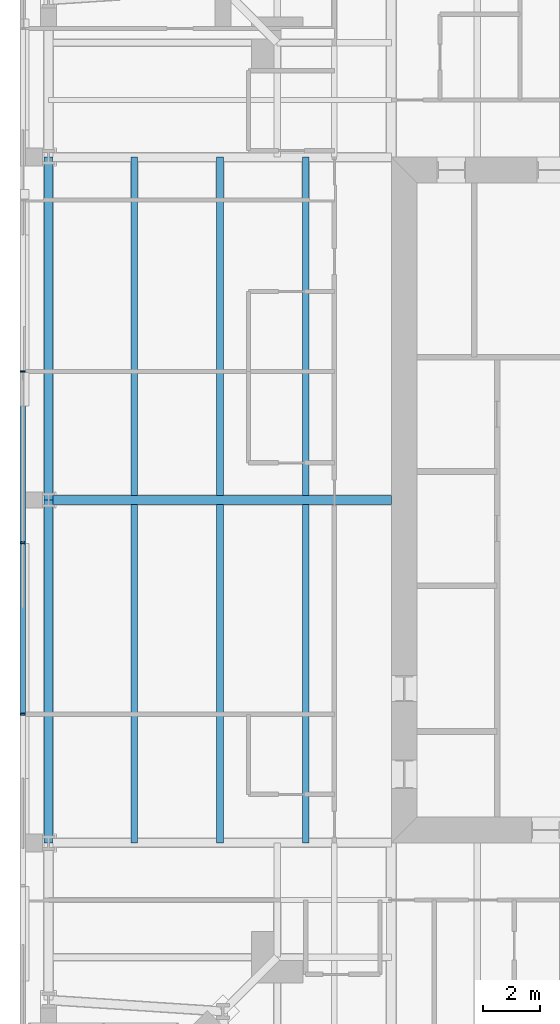
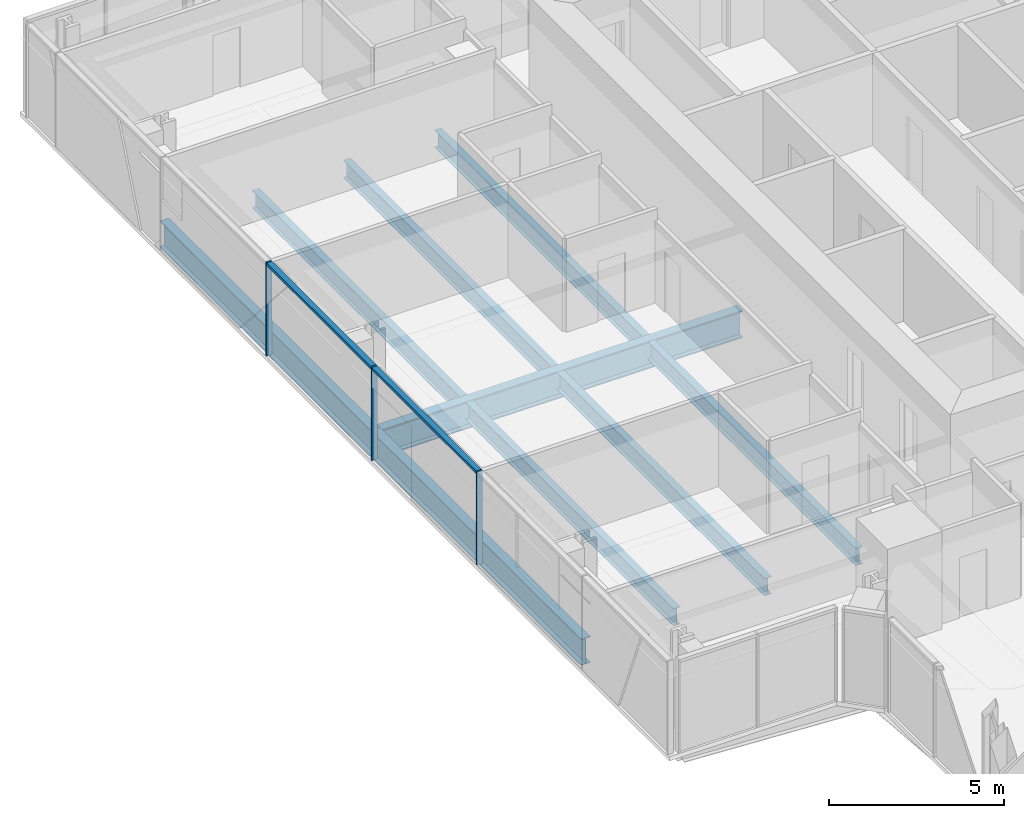
# One storey, part 4 of 19: 9 beams, 5 members, 1 element without a shape of its own.
"""IFC4 building model written with IfcOpenShell, lengths in metres."""

from ifc_helpers import new_model, si_unit, direction, frame, origin, origin_2d, place, context, subcontext, project, spatial, rectangle, i_section, extrude, material, material_profile, profile_set, type_object, element, aggregate, save


model = new_model("IFC4")

# Units and contexts
model_context = context("Model", 3, precision=1e-05, world=origin(), true_north=direction((0.0, 1.0)))
body_context = subcontext(model_context, "Body", "Model", "MODEL_VIEW")
ifc_project = project(units=[si_unit("LENGTHUNIT", "METRE"), si_unit("AREAUNIT", "SQUARE_METRE"), si_unit("VOLUMEUNIT", "CUBIC_METRE"), si_unit("PLANEANGLEUNIT", "RADIAN"), si_unit("MASSUNIT", "GRAM", prefix="KILO")], contexts=[model_context])

# Site, building, storey
site_placement = place(None, origin())
site = spatial("IfcSite", under=ifc_project, at=site_placement, CompositionType="ELEMENT")
building_placement = place(site_placement, origin())
building = spatial("IfcBuilding", under=site, at=building_placement, Name="Fenwick Lantern Interchange", CompositionType="ELEMENT")
storey_placement = place(building_placement, frame((0.0, 0.0, 273.0)))
storey = spatial("IfcBuildingStorey", under=building, at=storey_placement, Name="L65", CompositionType="ELEMENT", Elevation=273.0)

# Beams
ifc_material_1 = material(Name="Steel ASTM A992 Grade 50", Category="steel")
ifc_material_profile_1 = material_profile(ifc_material_1, i_section(OverallWidth=0.3046875, OverallDepth=0.911865234375, WebThickness=0.015869140625, FlangeThickness=0.02392578125, at=origin_2d()), Name="W36X150")
ifc_profile_set_1 = profile_set([ifc_material_profile_1], Name="Steel ASTM A992 Grade 50")
beam_type_1 = type_object("IfcBeamType", Name="EDGE BEAM W36X150", PredefinedType="SPANDREL", material=ifc_profile_set_1)
for number, where, z_axis, x_axis, name in (
    (1, (1.0, 37.0, -0.60595703125), (0.0, -1.0, 0.0), (1.0, 0.0, 0.0), "L65/FR/W/EB2"),
    (2, (1.0, 25.0, -0.60595703125), (0.0, -1.0, 0.0), (1.0, 0.0, 0.0), "L65/FR/W/EB3"),
):
    element("IfcBeam", number, at=place(storey_placement, frame(where, z_axis=z_axis, x_axis=x_axis)), inside=storey, type_object=beam_type_1, Name=name, PredefinedType="SPANDREL", context=body_context, shape_type="SweptSolid", body=[
        extrude(i_section(OverallWidth=0.3046875, OverallDepth=0.911865234375, WebThickness=0.015869140625, FlangeThickness=0.02392578125, at=origin_2d()), origin(), (0.0, 0.0, 1.0), 12.0),
    ])
ifc_material_profile_2 = material_profile(ifc_material_1, i_section(OverallWidth=0.22900390625, OverallDepth=0.612060546875, WebThickness=0.011962890625, FlangeThickness=0.01953125, at=origin_2d()), Name="W24X84")
ifc_profile_set_2 = profile_set([ifc_material_profile_2], Name="Steel ASTM A992 Grade 50")
beam_type_2 = type_object("IfcBeamType", Name="FLOOR BEAM W24X84", PredefinedType="BEAM", material=ifc_profile_set_2)
for number, where, z_axis, x_axis, name in (
    (3, (4.0, 37.0, -0.4560546875), (0.0, -1.0, 0.0), (1.0, 0.0, 0.0), "L65/FR/W/B01"),
    (4, (7.0, 37.0, -0.4560546875), (0.0, -1.0, 0.0), (1.0, 0.0, 0.0), "L65/FR/W/B02"),
    (5, (10.0, 37.0, -0.4560546875), (0.0, -1.0, 0.0), (1.0, 0.0, 0.0), "L65/FR/W/B03"),
    (6, (4.0, 24.844970703125, -0.4560546875), (0.0, -1.0, 0.0), (1.0, 0.0, 0.0), "L65/FR/W/B04"),
    (7, (7.0, 24.844970703125, -0.4560546875), (0.0, -1.0, 0.0), (1.0, 0.0, 0.0), "L65/FR/W/B05"),
    (8, (10.0, 24.844970703125, -0.4560546875), (0.0, -1.0, 0.0), (1.0, 0.0, 0.0), "L65/FR/W/B06"),
):
    element("IfcBeam", number, at=place(storey_placement, frame(where, z_axis=z_axis, x_axis=x_axis)), inside=storey, type_object=beam_type_2, Name=name, PredefinedType="BEAM", context=body_context, shape_type="SweptSolid", body=[
        extrude(i_section(OverallWidth=0.22900390625, OverallDepth=0.612060546875, WebThickness=0.011962890625, FlangeThickness=0.01953125, at=origin_2d()), origin(), (0.0, 0.0, 1.0), 11.844970703125),
    ])

# Curtain wall, members
ifc_material_2 = material(Name="Aluminium curtain wall frame", Category="aluminium")
curtain_wall_type = type_object("IfcCurtainWallType", Name="HOTEL CURTAIN WALL", PredefinedType="USERDEFINED", material=ifc_material_2)
curtain_wall_placement = place(storey_placement, origin())
curtain_wall = element("IfcCurtainWall", 9, at=curtain_wall_placement, inside=storey, type_object=curtain_wall_type, Name="Hotel curtain wall 13", ObjectType="HOTEL CURTAIN WALL", PredefinedType="USERDEFINED")
ifc_material_3 = material(Name="Aluminium extrusion", Category="aluminium")
ifc_material_profile_3 = material_profile(ifc_material_3, rectangle(XDim=0.179931640625, YDim=0.06005859375, at=origin_2d()), Name="HOTEL CURTAIN WALL MULLION 60 X 180")
ifc_profile_set_3 = profile_set([ifc_material_profile_3], Name="Aluminium extrusion")
member_type_1 = type_object("IfcMemberType", Name="HOTEL CURTAIN WALL MULLION 60 X 180", PredefinedType="MULLION", material=ifc_profile_set_3)
member_1_placement = place(storey_placement, frame((0.10009765625, 29.5, 0.0), z_axis=(0.0, 0.0, 1.0), x_axis=(1.0, 0.0, 0.0)))
member_1 = element("IfcMember", 10, at=member_1_placement, type_object=member_type_1, Name="L65/CW/13/M03", PredefinedType="MULLION", context=body_context, shape_type="SweptSolid", body=[
    extrude(rectangle(XDim=0.179931640625, YDim=0.06005859375, at=origin_2d()), origin(), (0.0, 0.0, 1.0), 3.25),
])
member_2_placement = place(storey_placement, frame((0.10009765625, 23.5, 0.0), z_axis=(0.0, 0.0, 1.0), x_axis=(1.0, 0.0, 0.0)))
member_2 = element("IfcMember", 11, at=member_2_placement, type_object=member_type_1, Name="L65/CW/13/M04", PredefinedType="MULLION", context=body_context, shape_type="SweptSolid", body=[
    extrude(rectangle(XDim=0.179931640625, YDim=0.06005859375, at=origin_2d()), origin(), (0.0, 0.0, 1.0), 3.25),
])
member_3_placement = place(storey_placement, frame((0.10009765625, 17.5, 0.0), z_axis=(0.0, 0.0, 1.0), x_axis=(1.0, 0.0, 0.0)))
member_3 = element("IfcMember", 12, at=member_3_placement, type_object=member_type_1, Name="L65/CW/13/M05", PredefinedType="MULLION", context=body_context, shape_type="SweptSolid", body=[
    extrude(rectangle(XDim=0.179931640625, YDim=0.06005859375, at=origin_2d()), origin(), (0.0, 0.0, 1.0), 3.25),
])
ifc_material_profile_4 = material_profile(ifc_material_3, rectangle(XDim=0.179931640625, YDim=0.10009765625, at=origin_2d()), Name="HOTEL CURTAIN WALL TRANSOM 100 X 180")
ifc_profile_set_4 = profile_set([ifc_material_profile_4], Name="Aluminium extrusion")
member_type_2 = type_object("IfcMemberType", Name="HOTEL CURTAIN WALL TRANSOM 100 X 180", PredefinedType="MULLION", material=ifc_profile_set_4)
member_4_placement = place(storey_placement, frame((0.10009765625, 29.469970703125, 3.199951171875), z_axis=(0.0, -1.0, 0.0), x_axis=(1.0, 0.0, 0.0)))
member_4 = element("IfcMember", 13, at=member_4_placement, type_object=member_type_2, Name="L65/CW/13/T03", PredefinedType="MULLION", context=body_context, shape_type="SweptSolid", body=[
    extrude(rectangle(XDim=0.179931640625, YDim=0.10009765625, at=origin_2d()), origin(), (0.0, 0.0, 1.0), 5.93994140625),
])
member_5_placement = place(storey_placement, frame((0.10009765625, 23.469970703125, 3.199951171875), z_axis=(0.0, -1.0, 0.0), x_axis=(1.0, 0.0, 0.0)))
member_5 = element("IfcMember", 14, at=member_5_placement, type_object=member_type_2, Name="L65/CW/13/T04", PredefinedType="MULLION", context=body_context, shape_type="SweptSolid", body=[
    extrude(rectangle(XDim=0.179931640625, YDim=0.10009765625, at=origin_2d()), origin(), (0.0, 0.0, 1.0), 5.93994140625),
])
aggregate(curtain_wall, [member_1, member_2, member_3, member_4, member_5])

# Beam
ifc_material_profile_5 = material_profile(ifc_material_1, i_section(OverallWidth=0.309814453125, OverallDepth=0.949951171875, WebThickness=0.0244140625, FlangeThickness=0.0439453125, at=origin_2d()), Name="W36X256")
ifc_profile_set_5 = profile_set([ifc_material_profile_5], Name="Steel ASTM A992 Grade 50")
beam_type_3 = type_object("IfcBeamType", Name="MOMENT-CONNECTED GIRDER W36X256", PredefinedType="BEAM", material=ifc_profile_set_5)
beam_placement = place(storey_placement, frame((1.0, 25.0, -0.625), z_axis=(1.0, 0.0, 0.0), x_axis=(0.0, 1.0, 0.0)))
element("IfcBeam", 15, at=beam_placement, inside=storey, type_object=beam_type_3, Name="L65/FR/W/R02", PredefinedType="BEAM", context=body_context, shape_type="SweptSolid", body=[
    extrude(i_section(OverallWidth=0.309814453125, OverallDepth=0.949951171875, WebThickness=0.0244140625, FlangeThickness=0.0439453125, at=origin_2d()), origin(), (0.0, 0.0, 1.0), 12.0),
])

save(model, "model.ifc")
